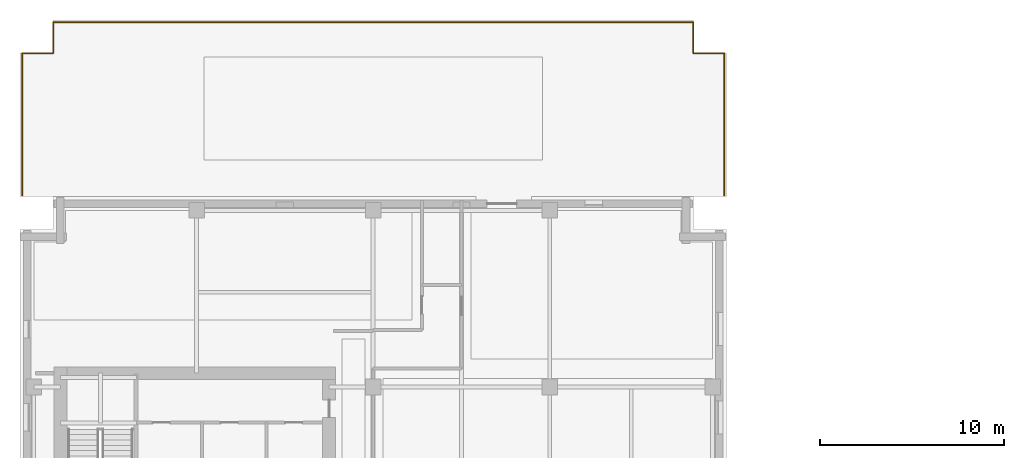
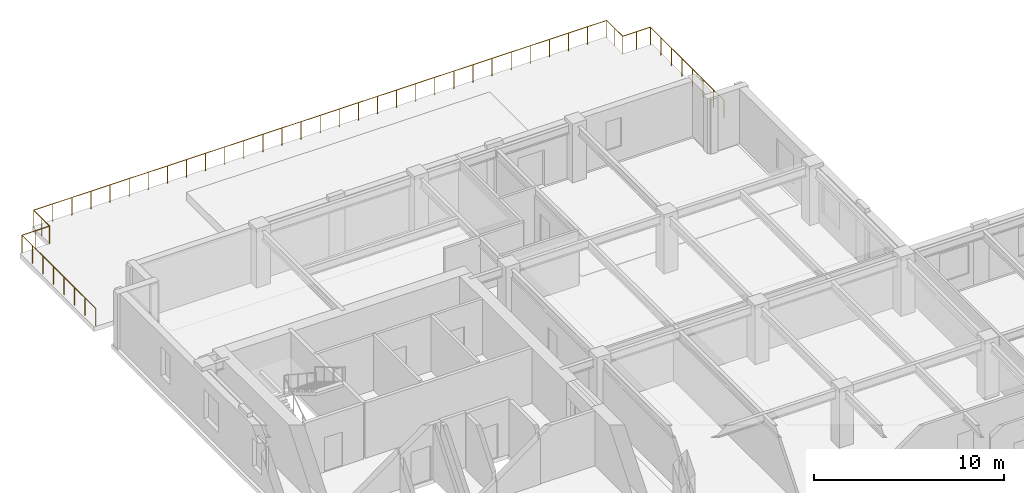
# One storey, part 11 of 12: 1 railing.
"""IFC4 building model written with IfcOpenShell, lengths in metres."""

from ifc_helpers import new_model, si_unit, direction, frame, origin, origin_2d, place, context, subcontext, project, spatial, circle, extrude, material, type_object, element, save


model = new_model("IFC4")

# Units and contexts
model_context = context("Model", 3, precision=1e-05, world=origin(), true_north=direction((0.0, 1.0)))
body_context = subcontext(model_context, "Body", "Model", "MODEL_VIEW")
ifc_project = project(units=[si_unit("LENGTHUNIT", "METRE"), si_unit("AREAUNIT", "SQUARE_METRE"), si_unit("VOLUMEUNIT", "CUBIC_METRE"), si_unit("PLANEANGLEUNIT", "RADIAN"), si_unit("MASSUNIT", "GRAM", prefix="KILO")], contexts=[model_context])

# Site, building, storey
site_placement = place(None, origin())
site = spatial("IfcSite", under=ifc_project, at=site_placement, CompositionType="ELEMENT")
building_placement = place(site_placement, origin())
building = spatial("IfcBuilding", under=site, at=building_placement, Name="Norrvale University Quadrangle", CompositionType="ELEMENT")
storey_placement = place(building_placement, frame((0.0, 0.0, 199.0)))
storey = spatial("IfcBuildingStorey", under=building, at=storey_placement, Name="L50", CompositionType="ELEMENT", Elevation=199.0)

# Railing
ifc_material = material(Name="Stainless Steel 316L Balustrade", Category="steel")
railing_type = type_object("IfcRailingType", Name="Railing Terrace Guard 1150", PredefinedType="BALUSTRADE", material=ifc_material)
railing_placement = place(storey_placement, frame((0.1201171875, 57.64990234375, 0.0)))
element("IfcRailing", 1, at=railing_placement, inside=storey, type_object=railing_type, Name="L50 North Setback Terrace Balustrade", PredefinedType="BALUSTRADE", context=body_context, shape_type="SweptSolid", body=[
    extrude(circle(Radius=0.02392578125, at=origin_2d()), frame((0.0, 0.0, 1.1259765625), z_axis=(0.0, 1.0, 0.0), x_axis=(-1.0, 0.0, 0.0)), (0.0, 0.0, 1.0), 7.75),
    extrude(circle(Radius=0.02392578125, at=origin_2d()), frame((0.0, 7.75, 1.1259765625), z_axis=(1.0, 0.0, 0.0), x_axis=(0.0, 1.0, 0.0)), (0.0, 0.0, 1.0), 1.679931640625),
    extrude(circle(Radius=0.02392578125, at=origin_2d()), frame((1.679931640625, 7.75, 1.1259765625), z_axis=(0.0, 1.0, 0.0), x_axis=(-1.0, 0.0, 0.0)), (0.0, 0.0, 1.0), 1.68017578125),
    extrude(circle(Radius=0.02392578125, at=origin_2d()), frame((1.679931640625, 9.43017578125, 1.1259765625), z_axis=(1.0, 0.0, 0.0), x_axis=(0.0, 1.0, 0.0)), (0.0, 0.0, 1.0), 34.800048828125),
    extrude(circle(Radius=0.02392578125, at=origin_2d()), frame((36.47998046875, 9.43017578125, 1.1259765625), z_axis=(0.0, -1.0, 0.0), x_axis=(1.0, 0.0, 0.0)), (0.0, 0.0, 1.0), 1.68017578125),
    extrude(circle(Radius=0.02392578125, at=origin_2d()), frame((36.47998046875, 7.75, 1.1259765625), z_axis=(1.0, 0.0, 0.0), x_axis=(0.0, 1.0, 0.0)), (0.0, 0.0, 1.0), 1.679931640625),
    extrude(circle(Radius=0.02392578125, at=origin_2d()), frame((38.159912109375, 7.75, 1.1259765625), z_axis=(0.0, -1.0, 0.0), x_axis=(1.0, 0.0, 0.0)), (0.0, 0.0, 1.0), 7.75),
    extrude(circle(Radius=0.02099609375, at=origin_2d()), origin(), (0.0, 0.0, 1.0), 1.101806640625),
    extrude(circle(Radius=0.02099609375, at=origin_2d()), frame((0.0, 1.107177734375, 0.0)), (0.0, 0.0, 1.0), 1.101806640625),
    extrude(circle(Radius=0.02099609375, at=origin_2d()), frame((0.0, 2.21435546875, 0.0)), (0.0, 0.0, 1.0), 1.101806640625),
    extrude(circle(Radius=0.02099609375, at=origin_2d()), frame((0.0, 3.321533203125, 0.0)), (0.0, 0.0, 1.0), 1.101806640625),
    extrude(circle(Radius=0.02099609375, at=origin_2d()), frame((0.0, 4.428466796875, 0.0)), (0.0, 0.0, 1.0), 1.101806640625),
    extrude(circle(Radius=0.02099609375, at=origin_2d()), frame((0.0, 5.53564453125, 0.0)), (0.0, 0.0, 1.0), 1.101806640625),
    extrude(circle(Radius=0.02099609375, at=origin_2d()), frame((0.0, 6.642822265625, 0.0)), (0.0, 0.0, 1.0), 1.101806640625),
    extrude(circle(Radius=0.02099609375, at=origin_2d()), frame((0.0, 7.75, 0.0)), (0.0, 0.0, 1.0), 1.101806640625),
    extrude(circle(Radius=0.02099609375, at=origin_2d()), frame((0.83984375, 7.75, 0.0)), (0.0, 0.0, 1.0), 1.101806640625),
    extrude(circle(Radius=0.02099609375, at=origin_2d()), frame((1.679931640625, 7.75, 0.0)), (0.0, 0.0, 1.0), 1.101806640625),
    extrude(circle(Radius=0.02099609375, at=origin_2d()), frame((1.679931640625, 8.590087890625, 0.0)), (0.0, 0.0, 1.0), 1.101806640625),
    extrude(circle(Radius=0.02099609375, at=origin_2d()), frame((1.679931640625, 9.43017578125, 0.0)), (0.0, 0.0, 1.0), 1.101806640625),
    extrude(circle(Radius=0.02099609375, at=origin_2d()), frame((2.83984375, 9.43017578125, 0.0)), (0.0, 0.0, 1.0), 1.101806640625),
    extrude(circle(Radius=0.02099609375, at=origin_2d()), frame((4.0, 9.43017578125, 0.0)), (0.0, 0.0, 1.0), 1.101806640625),
    extrude(circle(Radius=0.02099609375, at=origin_2d()), frame((5.159912109375, 9.43017578125, 0.0)), (0.0, 0.0, 1.0), 1.101806640625),
    extrude(circle(Radius=0.02099609375, at=origin_2d()), frame((6.31982421875, 9.43017578125, 0.0)), (0.0, 0.0, 1.0), 1.101806640625),
    extrude(circle(Radius=0.02099609375, at=origin_2d()), frame((7.47998046875, 9.43017578125, 0.0)), (0.0, 0.0, 1.0), 1.101806640625),
    extrude(circle(Radius=0.02099609375, at=origin_2d()), frame((8.639892578125, 9.43017578125, 0.0)), (0.0, 0.0, 1.0), 1.101806640625),
    extrude(circle(Radius=0.02099609375, at=origin_2d()), frame((9.800048828125, 9.43017578125, 0.0)), (0.0, 0.0, 1.0), 1.101806640625),
    extrude(circle(Radius=0.02099609375, at=origin_2d()), frame((10.9599609375, 9.43017578125, 0.0)), (0.0, 0.0, 1.0), 1.101806640625),
    extrude(circle(Radius=0.02099609375, at=origin_2d()), frame((12.119873046875, 9.43017578125, 0.0)), (0.0, 0.0, 1.0), 1.101806640625),
    extrude(circle(Radius=0.02099609375, at=origin_2d()), frame((13.280029296875, 9.43017578125, 0.0)), (0.0, 0.0, 1.0), 1.101806640625),
    extrude(circle(Radius=0.02099609375, at=origin_2d()), frame((14.43994140625, 9.43017578125, 0.0)), (0.0, 0.0, 1.0), 1.101806640625),
    extrude(circle(Radius=0.02099609375, at=origin_2d()), frame((15.599853515625, 9.43017578125, 0.0)), (0.0, 0.0, 1.0), 1.101806640625),
    extrude(circle(Radius=0.02099609375, at=origin_2d()), frame((16.760009765625, 9.43017578125, 0.0)), (0.0, 0.0, 1.0), 1.101806640625),
    extrude(circle(Radius=0.02099609375, at=origin_2d()), frame((17.919921875, 9.43017578125, 0.0)), (0.0, 0.0, 1.0), 1.101806640625),
    extrude(circle(Radius=0.02099609375, at=origin_2d()), frame((19.080078125, 9.43017578125, 0.0)), (0.0, 0.0, 1.0), 1.101806640625),
    extrude(circle(Radius=0.02099609375, at=origin_2d()), frame((20.239990234375, 9.43017578125, 0.0)), (0.0, 0.0, 1.0), 1.101806640625),
    extrude(circle(Radius=0.02099609375, at=origin_2d()), frame((21.39990234375, 9.43017578125, 0.0)), (0.0, 0.0, 1.0), 1.101806640625),
    extrude(circle(Radius=0.02099609375, at=origin_2d()), frame((22.56005859375, 9.43017578125, 0.0)), (0.0, 0.0, 1.0), 1.101806640625),
    extrude(circle(Radius=0.02099609375, at=origin_2d()), frame((23.719970703125, 9.43017578125, 0.0)), (0.0, 0.0, 1.0), 1.101806640625),
    extrude(circle(Radius=0.02099609375, at=origin_2d()), frame((24.8798828125, 9.43017578125, 0.0)), (0.0, 0.0, 1.0), 1.101806640625),
    extrude(circle(Radius=0.02099609375, at=origin_2d()), frame((26.0400390625, 9.43017578125, 0.0)), (0.0, 0.0, 1.0), 1.101806640625),
    extrude(circle(Radius=0.02099609375, at=origin_2d()), frame((27.199951171875, 9.43017578125, 0.0)), (0.0, 0.0, 1.0), 1.101806640625),
    extrude(circle(Radius=0.02099609375, at=origin_2d()), frame((28.35986328125, 9.43017578125, 0.0)), (0.0, 0.0, 1.0), 1.101806640625),
    extrude(circle(Radius=0.02099609375, at=origin_2d()), frame((29.52001953125, 9.43017578125, 0.0)), (0.0, 0.0, 1.0), 1.101806640625),
    extrude(circle(Radius=0.02099609375, at=origin_2d()), frame((30.679931640625, 9.43017578125, 0.0)), (0.0, 0.0, 1.0), 1.101806640625),
    extrude(circle(Radius=0.02099609375, at=origin_2d()), frame((31.840087890625, 9.43017578125, 0.0)), (0.0, 0.0, 1.0), 1.101806640625),
    extrude(circle(Radius=0.02099609375, at=origin_2d()), frame((33.0, 9.43017578125, 0.0)), (0.0, 0.0, 1.0), 1.101806640625),
    extrude(circle(Radius=0.02099609375, at=origin_2d()), frame((34.159912109375, 9.43017578125, 0.0)), (0.0, 0.0, 1.0), 1.101806640625),
    extrude(circle(Radius=0.02099609375, at=origin_2d()), frame((35.320068359375, 9.43017578125, 0.0)), (0.0, 0.0, 1.0), 1.101806640625),
    extrude(circle(Radius=0.02099609375, at=origin_2d()), frame((36.47998046875, 9.43017578125, 0.0)), (0.0, 0.0, 1.0), 1.101806640625),
    extrude(circle(Radius=0.02099609375, at=origin_2d()), frame((36.47998046875, 8.590087890625, 0.0)), (0.0, 0.0, 1.0), 1.101806640625),
    extrude(circle(Radius=0.02099609375, at=origin_2d()), frame((36.47998046875, 7.75, 0.0)), (0.0, 0.0, 1.0), 1.101806640625),
    extrude(circle(Radius=0.02099609375, at=origin_2d()), frame((37.31982421875, 7.75, 0.0)), (0.0, 0.0, 1.0), 1.101806640625),
    extrude(circle(Radius=0.02099609375, at=origin_2d()), frame((38.159912109375, 7.75, 0.0)), (0.0, 0.0, 1.0), 1.101806640625),
    extrude(circle(Radius=0.02099609375, at=origin_2d()), frame((38.159912109375, 6.642822265625, 0.0)), (0.0, 0.0, 1.0), 1.101806640625),
    extrude(circle(Radius=0.02099609375, at=origin_2d()), frame((38.159912109375, 5.53564453125, 0.0)), (0.0, 0.0, 1.0), 1.101806640625),
    extrude(circle(Radius=0.02099609375, at=origin_2d()), frame((38.159912109375, 4.428466796875, 0.0)), (0.0, 0.0, 1.0), 1.101806640625),
    extrude(circle(Radius=0.02099609375, at=origin_2d()), frame((38.159912109375, 3.321533203125, 0.0)), (0.0, 0.0, 1.0), 1.101806640625),
    extrude(circle(Radius=0.02099609375, at=origin_2d()), frame((38.159912109375, 2.21435546875, 0.0)), (0.0, 0.0, 1.0), 1.101806640625),
    extrude(circle(Radius=0.02099609375, at=origin_2d()), frame((38.159912109375, 1.107177734375, 0.0)), (0.0, 0.0, 1.0), 1.101806640625),
    extrude(circle(Radius=0.02099609375, at=origin_2d()), frame((38.159912109375, 0.0, 0.0)), (0.0, 0.0, 1.0), 1.101806640625),
])

save(model, "model.ifc")
